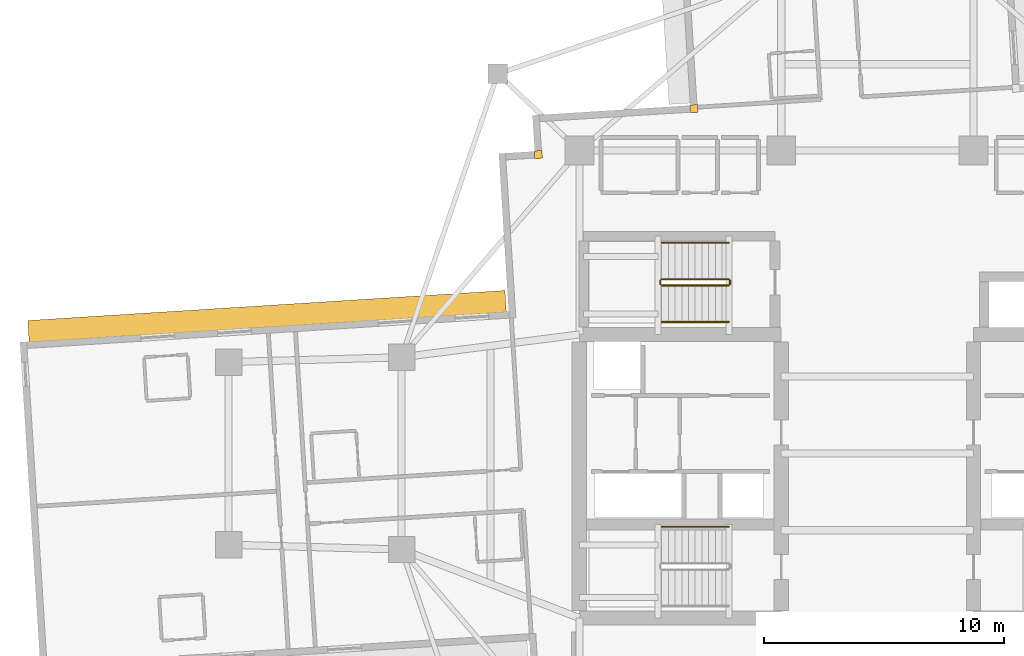
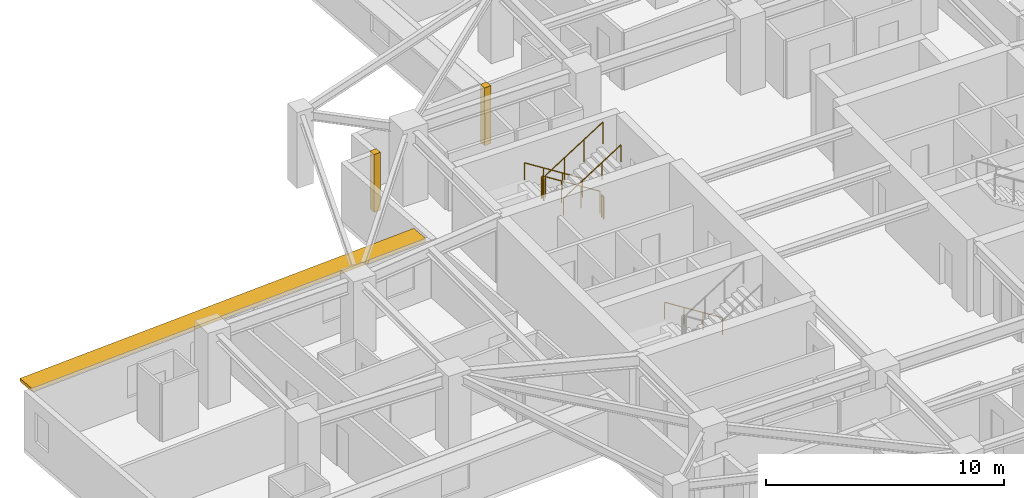
# One storey, part 13 of 14: 7 railings, 2 coverings, 1 shading device.
"""IFC4 building model written with IfcOpenShell, lengths in metres."""

from ifc_helpers import new_model, si_unit, direction, frame, origin, origin_2d, place, context, subcontext, project, spatial, rectangle, circle, extrude, material, layer, layer_set, type_object, element, save


model = new_model("IFC4")

# Units and contexts
model_context = context("Model", 3, precision=1e-05, world=origin(), true_north=direction((0.0, 1.0)))
body_context = subcontext(model_context, "Body", "Model", "MODEL_VIEW")
ifc_project = project(units=[si_unit("LENGTHUNIT", "METRE"), si_unit("AREAUNIT", "SQUARE_METRE"), si_unit("VOLUMEUNIT", "CUBIC_METRE"), si_unit("PLANEANGLEUNIT", "RADIAN"), si_unit("MASSUNIT", "GRAM", prefix="KILO")], contexts=[model_context])

# Site, building, storey
site_placement = place(None, origin())
site = spatial("IfcSite", under=ifc_project, at=site_placement, CompositionType="ELEMENT")
building_placement = place(site_placement, origin())
building = spatial("IfcBuilding", under=site, at=building_placement, Name="Qingluan Cross Belvedere", CompositionType="ELEMENT")
storey_placement = place(building_placement, frame((0.0, 0.0, 120.300048828125)))
storey = spatial("IfcBuildingStorey", under=building, at=storey_placement, Name="L30", CompositionType="ELEMENT", Elevation=120.300048828125)

# Coverings
ifc_material_1 = material(Name="Precast concrete C45", Category="concrete")
ifc_layer_1 = layer(ifc_material_1, 0.1201171875, Name="ConcreteSpandrelCladding_120")
ifc_layer_set_1 = layer_set([ifc_layer_1], Name="Precast concrete C45")
covering_type = type_object("IfcCoveringType", Name="ConcreteSpandrelCladding_120", PredefinedType="CLADDING", material=ifc_layer_set_1)
for number, where, z_axis, x_axis, name in (
    (1, (-14.10888671875, 12.438720703125, 0.0), (0.0, 0.0, 1.0), (0.998026728428, 0.062790519529, 0.0), "Corner closure L30-NW1"),
    (2, (-7.635986328125, 14.348876953125, 0.0), (0.0, 0.0, 1.0), (0.998026728428, 0.062790519529, 0.0), "Corner closure L30-NW2"),
):
    element("IfcCovering", number, at=place(storey_placement, frame(where, z_axis=z_axis, x_axis=x_axis)), inside=storey, type_object=covering_type, Name=name, PredefinedType="CLADDING", context=body_context, shape_type="SweptSolid", body=[
        extrude(rectangle(XDim=0.320068359375, YDim=0.320068359375, at=origin_2d()), origin(), (0.0, 0.0, 1.0), 2.969970703125),
    ])

# Shading device
ifc_material_2 = material(Name="Precast concrete C45", Category="concrete")
ifc_layer_2 = layer(ifc_material_2, 0.159912109375, Name="ConcreteSunshadeBand_900")
ifc_layer_set_2 = layer_set([ifc_layer_2], Name="Precast concrete C45")
shading_device_type = type_object("IfcShadingDeviceType", Name="ConcreteSunshadeBand_900", PredefinedType="USERDEFINED", material=ifc_layer_set_2)
shading_device_placement = place(storey_placement, frame((-25.3984375, 5.70654296875, 2.7900390625), z_axis=(0.0, 0.0, 1.0), x_axis=(-0.998026999973, -0.062786203294, 0.0)))
element("IfcShadingDevice", 3, at=shading_device_placement, inside=storey, type_object=shading_device_type, Name="Concrete SUNSHADE L30-WA", ObjectType="SUNSHADE", PredefinedType="USERDEFINED", context=body_context, shape_type="SweptSolid", body=[
    extrude(rectangle(XDim=19.89990234375, YDim=0.89990234375, at=origin_2d()), origin(), (0.0, 0.0, 1.0), 0.159912109375),
])

# Railings
ifc_material_3 = material(Name="Brushed stainless steel tubular handrail", Category="steel")
railing_type_1 = type_object("IfcRailingType", Name="StairPitchHandrail_900", PredefinedType="HANDRAIL", material=ifc_material_3)
for number, where, name in (
    (4, (-6.179931640625, -3.050048828125, 0.17724609375), "L30 ST1 stair handrail 1"),
    (5, (-6.179931640625, 8.77001953125, 0.17724609375), "L30 ST3 stair handrail 1"),
):
    element("IfcRailing", number, at=place(storey_placement, frame(where)), inside=storey, type_object=railing_type_1, Name=name, PredefinedType="HANDRAIL", context=body_context, shape_type="SweptSolid", body=[
        extrude(circle(Radius=0.02392578125, at=origin_2d()), frame((0.0, 0.0, 0.8759765625), z_axis=(-0.844908973607, 0.0, 0.534910110503), x_axis=(0.0, -1.0, 0.0)), (0.0, 0.0, 1.0), 3.31396484375),
        extrude(circle(Radius=0.02099609375, at=origin_2d()), origin(), (0.0, 0.0, 1.0), 0.851806640625),
        extrude(circle(Radius=0.02099609375, at=origin_2d()), frame((-0.933349609375, 0.0, 0.5908203125)), (0.0, 0.0, 1.0), 0.851806640625),
        extrude(circle(Radius=0.02099609375, at=origin_2d()), frame((-1.86669921875, 0.0, 1.181884765625)), (0.0, 0.0, 1.0), 0.851806640625),
        extrude(circle(Radius=0.02099609375, at=origin_2d()), frame((-2.800048828125, 0.0, 1.772705078125)), (0.0, 0.0, 1.0), 0.851806640625),
    ])
railing_1_placement = place(storey_placement, frame((-8.97998046875, 5.469970703125, 2.127197265625)))
element("IfcRailing", 6, at=railing_1_placement, inside=storey, type_object=railing_type_1, Name="L30 ST3 stair handrail 2", PredefinedType="HANDRAIL", context=body_context, shape_type="SweptSolid", body=[
    extrude(circle(Radius=0.02392578125, at=origin_2d()), frame((0.0, 0.0, 0.8759765625), z_axis=(0.844908973607, 0.0, 0.534910110503), x_axis=(0.0, 1.0, 0.0)), (0.0, 0.0, 1.0), 3.31396484375),
    extrude(circle(Radius=0.02099609375, at=origin_2d()), origin(), (0.0, 0.0, 1.0), 0.851806640625),
    extrude(circle(Radius=0.02099609375, at=origin_2d()), frame((0.933349609375, 0.0, 0.5908203125)), (0.0, 0.0, 1.0), 0.851806640625),
    extrude(circle(Radius=0.02099609375, at=origin_2d()), frame((1.86669921875, 0.0, 1.181884765625)), (0.0, 0.0, 1.0), 0.851806640625),
    extrude(circle(Radius=0.02099609375, at=origin_2d()), frame((2.800048828125, 0.0, 1.772705078125)), (0.0, 0.0, 1.0), 0.851806640625),
])
ifc_material_4 = material(Name="Painted steel stair well guard", Category="steel")
railing_type_2 = type_object("IfcRailingType", Name="StairWellGuard_1150", PredefinedType="BALUSTRADE", material=ifc_material_4)
railing_2_placement = place(storey_placement, frame((-6.179931640625, 7.25, 0.17724609375)))
element("IfcRailing", 7, at=railing_2_placement, inside=storey, type_object=railing_type_2, Name="L30 ST3 stair guard 1", PredefinedType="BALUSTRADE", context=body_context, shape_type="SweptSolid", body=[
    extrude(circle(Radius=0.02392578125, at=origin_2d()), frame((0.0, 0.0, 1.1259765625), z_axis=(-0.844908973607, 0.0, 0.534910110503), x_axis=(0.0, -1.0, 0.0)), (0.0, 0.0, 1.0), 3.31396484375),
    extrude(circle(Radius=0.02099609375, at=origin_2d()), origin(), (0.0, 0.0, 1.0), 1.101806640625),
    extrude(circle(Radius=0.02099609375, at=origin_2d()), frame((-0.933349609375, 0.0, 0.5908203125)), (0.0, 0.0, 1.0), 1.101806640625),
    extrude(circle(Radius=0.02099609375, at=origin_2d()), frame((-1.86669921875, 0.0, 1.181884765625)), (0.0, 0.0, 1.0), 1.101806640625),
    extrude(circle(Radius=0.02099609375, at=origin_2d()), frame((-2.800048828125, 0.0, 1.772705078125)), (0.0, 0.0, 1.0), 1.101806640625),
])
railing_3_placement = place(storey_placement, frame((-9.030029296875, 7.199951171875, 1.949951171875)))
element("IfcRailing", 8, at=railing_3_placement, inside=storey, type_object=railing_type_2, Name="L30 ST3 stair guard 2", PredefinedType="BALUSTRADE", context=body_context, shape_type="SweptSolid", body=[
    extrude(circle(Radius=0.02392578125, at=origin_2d()), frame((0.0, 0.0, 1.1259765625), z_axis=(0.0, -1.0, 0.0), x_axis=(1.0, 0.0, 0.0)), (0.0, 0.0, 1.0), 0.159912109375),
    extrude(circle(Radius=0.02099609375, at=origin_2d()), origin(), (0.0, 0.0, 1.0), 1.101806640625),
    extrude(circle(Radius=0.02099609375, at=origin_2d()), frame((0.0, -0.159912109375, 0.0)), (0.0, 0.0, 1.0), 1.101806640625),
])
railing_4_placement = place(storey_placement, frame((-8.97998046875, 6.989990234375, 2.127197265625)))
element("IfcRailing", 9, at=railing_4_placement, inside=storey, type_object=railing_type_2, Name="L30 ST3 stair guard 3", PredefinedType="BALUSTRADE", context=body_context, shape_type="SweptSolid", body=[
    extrude(circle(Radius=0.02392578125, at=origin_2d()), frame((0.0, 0.0, 1.1259765625), z_axis=(0.844908973607, 0.0, 0.534910110503), x_axis=(0.0, 1.0, 0.0)), (0.0, 0.0, 1.0), 3.31396484375),
    extrude(circle(Radius=0.02099609375, at=origin_2d()), origin(), (0.0, 0.0, 1.0), 1.101806640625),
    extrude(circle(Radius=0.02099609375, at=origin_2d()), frame((0.933349609375, 0.0, 0.5908203125)), (0.0, 0.0, 1.0), 1.101806640625),
    extrude(circle(Radius=0.02099609375, at=origin_2d()), frame((1.86669921875, 0.0, 1.181884765625)), (0.0, 0.0, 1.0), 1.101806640625),
    extrude(circle(Radius=0.02099609375, at=origin_2d()), frame((2.800048828125, 0.0, 1.772705078125)), (0.0, 0.0, 1.0), 1.101806640625),
])
railing_5_placement = place(storey_placement, frame((-6.1298828125, 7.199951171875, 0.0)))
element("IfcRailing", 10, at=railing_5_placement, inside=storey, type_object=railing_type_2, Name="L30 ST3 stair guard 4", PredefinedType="BALUSTRADE", context=body_context, shape_type="SweptSolid", body=[
    extrude(circle(Radius=0.02392578125, at=origin_2d()), frame((0.0, 0.0, 1.1259765625), z_axis=(0.0, -1.0, 0.0), x_axis=(1.0, 0.0, 0.0)), (0.0, 0.0, 1.0), 0.159912109375),
    extrude(circle(Radius=0.02099609375, at=origin_2d()), origin(), (0.0, 0.0, 1.0), 1.101806640625),
    extrude(circle(Radius=0.02099609375, at=origin_2d()), frame((0.0, -0.159912109375, 0.0)), (0.0, 0.0, 1.0), 1.101806640625),
])

save(model, "model.ifc")
